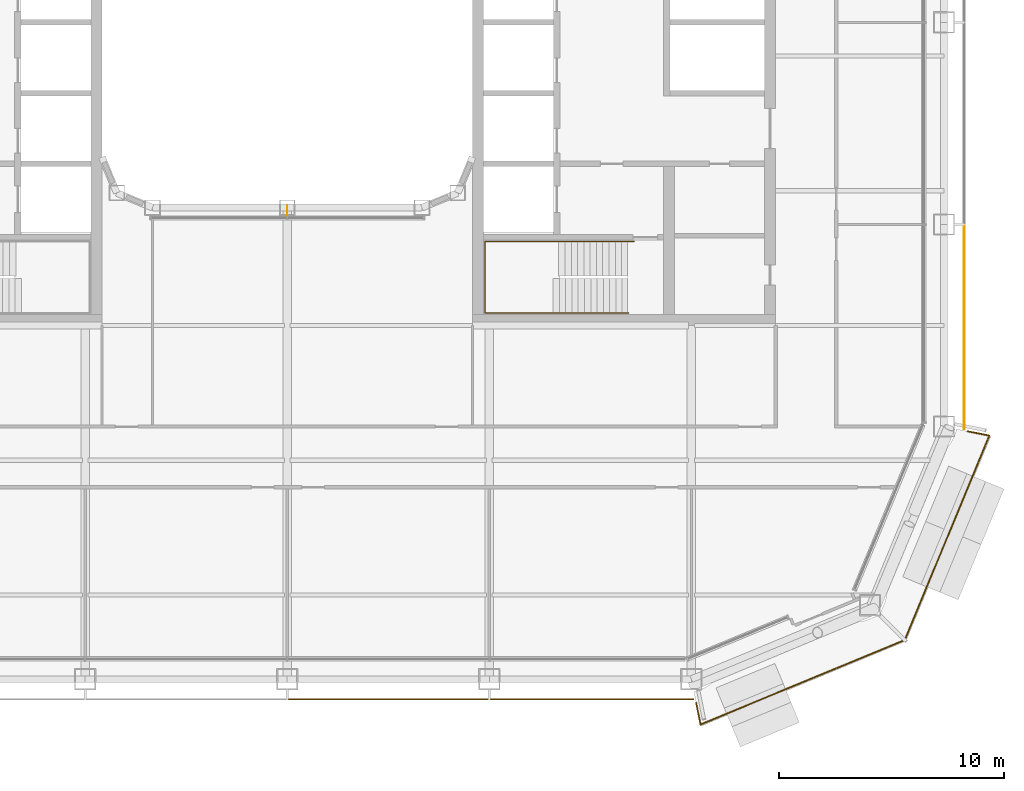
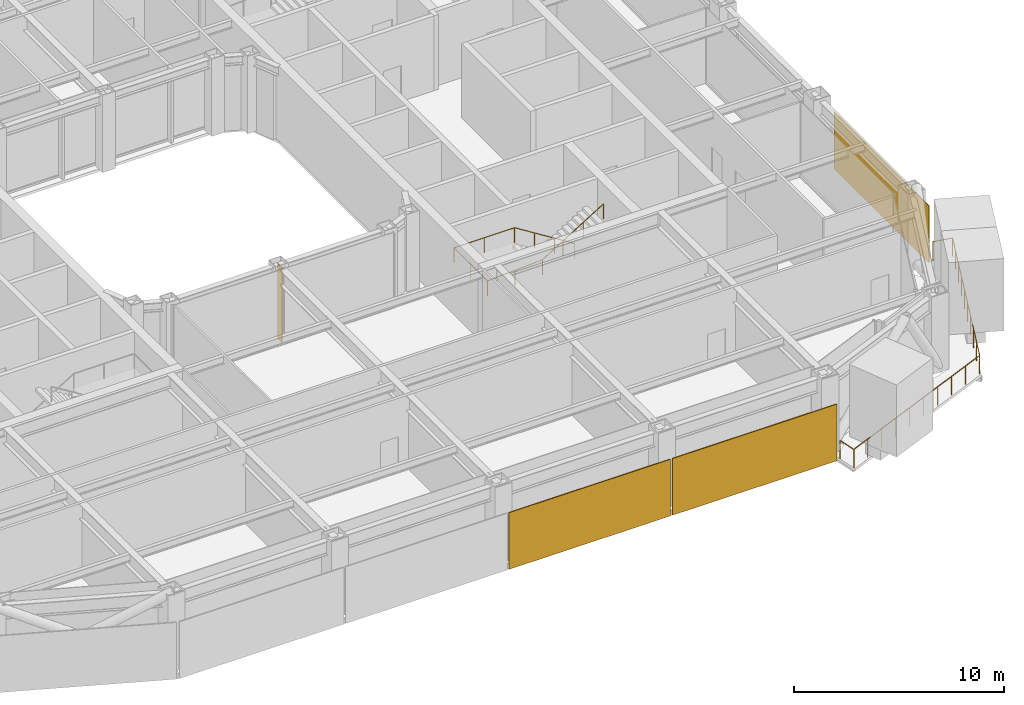
# One storey, part 19 of 23: 3 coverings, 2 railings, 1 shading device.
"""IFC4 building model written with IfcOpenShell, lengths in metres."""

from ifc_helpers import new_model, si_unit, direction, frame, origin, origin_2d, place, context, subcontext, project, spatial, rectangle, circle, extrude, material, layer, layer_set, type_object, element, save


model = new_model("IFC4")

# Units and contexts
model_context = context("Model", 3, precision=1e-05, world=origin(), true_north=direction((0.0, 1.0)))
body_context = subcontext(model_context, "Body", "Model", "MODEL_VIEW")
ifc_project = project(units=[si_unit("LENGTHUNIT", "METRE"), si_unit("AREAUNIT", "SQUARE_METRE"), si_unit("VOLUMEUNIT", "CUBIC_METRE"), si_unit("PLANEANGLEUNIT", "RADIAN"), si_unit("MASSUNIT", "GRAM", prefix="KILO")], contexts=[model_context])

# Site, building, storey
site_placement = place(None, origin())
site = spatial("IfcSite", under=ifc_project, at=site_placement, CompositionType="ELEMENT")
building_placement = place(site_placement, origin())
building = spatial("IfcBuilding", under=site, at=building_placement, Name="Siwar Civic Tower", CompositionType="ELEMENT")
storey_placement = place(building_placement, frame((0.0, 0.0, 127.199951171875)))
storey = spatial("IfcBuildingStorey", under=building, at=storey_placement, Name="L27", CompositionType="ELEMENT", Elevation=127.199951171875)

# Railing
ifc_material_1 = material(Name="Stainless steel", Category="steel")
railing_type_1 = type_object("IfcRailingType", Name="CORE-STAIR-HANDRAIL", PredefinedType="HANDRAIL", material=ifc_material_1)
railing_1_placement = place(storey_placement, frame((15.449951171875, -9.758056640625, 0.173095703125)))
element("IfcRailing", 1, at=railing_1_placement, inside=storey, type_object=railing_type_1, Name="Stair handrail ST4", PredefinedType="HANDRAIL", context=body_context, shape_type="SweptSolid", body=[
    extrude(circle(Radius=0.02001953125, at=origin_2d()), frame((0.0, 0.0, 0.8798828125), z_axis=(-0.847063342986, 0.0, 0.531491950051), x_axis=(0.0, -1.0, 0.0)), (0.0, 0.0, 1.0), 3.90771484375),
    extrude(circle(Radius=0.02001953125, at=origin_2d()), frame((-3.31005859375, 0.0, 2.956787109375), z_axis=(-1.0, 0.0, 0.0), x_axis=(0.0, -1.0, 0.0)), (0.0, 0.0, 1.0), 3.331787109375),
    extrude(circle(Radius=0.02001953125, at=origin_2d()), frame((-6.641845703125, 0.0, 2.956787109375), z_axis=(0.0, -1.0, 0.0), x_axis=(1.0, 0.0, 0.0)), (0.0, 0.0, 1.0), 3.183837890625),
    extrude(circle(Radius=0.02001953125, at=origin_2d()), frame((-6.641845703125, -3.183837890625, 2.956787109375), z_axis=(0.99837434197, 0.0, 0.056997134106), x_axis=(0.0, 1.0, 0.0)), (0.0, 0.0, 1.0), 3.036865234375),
    extrude(circle(Radius=0.02001953125, at=origin_2d()), frame((-3.60986328125, -3.183837890625, 3.1298828125), z_axis=(0.850606129759, 0.0, 0.525803396734), x_axis=(0.0, 1.0, 0.0)), (0.0, 0.0, 1.0), 3.949951171875),
    extrude(circle(Radius=0.02001953125, at=origin_2d()), origin(), (0.0, 0.0, 1.0), 0.85986328125),
    extrude(circle(Radius=0.02001953125, at=origin_2d()), frame((-1.103271484375, 0.0, 0.6923828125)), (0.0, 0.0, 1.0), 0.85986328125),
    extrude(circle(Radius=0.02001953125, at=origin_2d()), frame((-2.206787109375, 0.0, 1.384521484375)), (0.0, 0.0, 1.0), 0.85986328125),
    extrude(circle(Radius=0.02001953125, at=origin_2d()), frame((-3.31005859375, 0.0, 2.076904296875)), (0.0, 0.0, 1.0), 0.85986328125),
    extrude(circle(Radius=0.02001953125, at=origin_2d()), frame((-4.97607421875, 0.0, 2.076904296875)), (0.0, 0.0, 1.0), 0.85986328125),
    extrude(circle(Radius=0.02001953125, at=origin_2d()), frame((-6.641845703125, 0.0, 2.076904296875)), (0.0, 0.0, 1.0), 0.85986328125),
    extrude(circle(Radius=0.02001953125, at=origin_2d()), frame((-6.641845703125, -1.591796875, 2.076904296875)), (0.0, 0.0, 1.0), 0.85986328125),
    extrude(circle(Radius=0.02001953125, at=origin_2d()), frame((-6.641845703125, -3.183837890625, 2.076904296875)), (0.0, 0.0, 1.0), 0.85986328125),
    extrude(circle(Radius=0.02001953125, at=origin_2d()), frame((-5.1259765625, -3.183837890625, 2.16357421875)), (0.0, 0.0, 1.0), 0.85986328125),
    extrude(circle(Radius=0.02001953125, at=origin_2d()), frame((-3.60986328125, -3.183837890625, 2.25)), (0.0, 0.0, 1.0), 0.85986328125),
    extrude(circle(Radius=0.02001953125, at=origin_2d()), frame((-2.489990234375, -3.183837890625, 2.9423828125)), (0.0, 0.0, 1.0), 0.85986328125),
    extrude(circle(Radius=0.02001953125, at=origin_2d()), frame((-1.369873046875, -3.183837890625, 3.634521484375)), (0.0, 0.0, 1.0), 0.85986328125),
    extrude(circle(Radius=0.02001953125, at=origin_2d()), frame((-0.25, -3.183837890625, 4.326904296875)), (0.0, 0.0, 1.0), 0.85986328125),
])

# Shading device
ifc_material_2 = material(Name="Aluminium 6063-T6", Category="aluminium")
ifc_layer_1 = layer(ifc_material_2, 0.02001953125)
ifc_layer_set_1 = layer_set([ifc_layer_1], Name="Aluminium 6063-T6")
shading_device_type = type_object("IfcShadingDeviceType", Name="ENV-FIN", PredefinedType="JALOUSIE", material=ifc_layer_set_1)
shading_device_placement = place(storey_placement, frame((0.0, -8.39501953125, 0.0), z_axis=(0.0, 0.0, 1.0), x_axis=(1.0, 0.0, 0.0)))
element("IfcShadingDevice", 2, at=shading_device_placement, inside=storey, type_object=shading_device_type, Name="SUNSHADE fin WS 1", PredefinedType="JALOUSIE", context=body_context, shape_type="SweptSolid", body=[
    extrude(rectangle(XDim=0.02001953125, YDim=0.449951171875, at=origin_2d()), origin(), (0.0, 0.0, 1.0), 4.35009765625),
])

# Railing
ifc_material_3 = material(Name="Stainless steel 316", Category="steel")
railing_type_2 = type_object("IfcRailingType", Name="ENV-GUARD", PredefinedType="GUARDRAIL", material=ifc_material_3)
railing_2_placement = place(storey_placement, frame((18.208251953125, -30.297119140625, 0.0)))
element("IfcRailing", 3, at=railing_2_placement, inside=storey, type_object=railing_type_2, Name="Balcony guard SE", PredefinedType="GUARDRAIL", context=body_context, shape_type="SweptSolid", body=[
    extrude(circle(Radius=0.02392578125, at=origin_2d()), frame((0.0, 0.0, 1.076171875), z_axis=(0.195123592472, -0.980778661911, 0.0), x_axis=(0.980778661911, 0.195123592472, 0.0)), (0.0, 0.0, 1.0), 0.993408203125),
    extrude(circle(Radius=0.02392578125, at=origin_2d()), frame((0.19384765625, -0.974365234375, 1.076171875), z_axis=(0.924056377406, 0.38225621169, 0.0), x_axis=(-0.38225621169, 0.924056377406, 0.0)), (0.0, 0.0, 1.0), 9.851806640625),
    extrude(circle(Radius=0.02392578125, at=origin_2d()), frame((9.29736328125, 2.79150390625, 1.076171875), z_axis=(0.38225621169, 0.924056377406, 0.0), x_axis=(-0.924056377406, 0.38225621169, 0.0)), (0.0, 0.0, 1.0), 9.851806640625),
    extrude(circle(Radius=0.02392578125, at=origin_2d()), frame((13.063232421875, 11.89501953125, 1.076171875), z_axis=(-0.980778661911, 0.195123592472, 0.0), x_axis=(-0.195123592472, -0.980778661911, 0.0)), (0.0, 0.0, 1.0), 0.993408203125),
    extrude(circle(Radius=0.02099609375, at=origin_2d()), origin(), (0.0, 0.0, 1.0), 1.052001953125),
    extrude(circle(Radius=0.02099609375, at=origin_2d()), frame((0.19384765625, -0.974365234375, 0.0)), (0.0, 0.0, 1.0), 1.052001953125),
    extrude(circle(Radius=0.02099609375, at=origin_2d()), frame((1.205322265625, -0.555908203125, 0.0)), (0.0, 0.0, 1.0), 1.052001953125),
    extrude(circle(Radius=0.02099609375, at=origin_2d()), frame((2.216796875, -0.137451171875, 0.0)), (0.0, 0.0, 1.0), 1.052001953125),
    extrude(circle(Radius=0.02099609375, at=origin_2d()), frame((3.228271484375, 0.281005859375, 0.0)), (0.0, 0.0, 1.0), 1.052001953125),
    extrude(circle(Radius=0.02099609375, at=origin_2d()), frame((4.23974609375, 0.699462890625, 0.0)), (0.0, 0.0, 1.0), 1.052001953125),
    extrude(circle(Radius=0.02099609375, at=origin_2d()), frame((5.25146484375, 1.11767578125, 0.0)), (0.0, 0.0, 1.0), 1.052001953125),
    extrude(circle(Radius=0.02099609375, at=origin_2d()), frame((6.262939453125, 1.5361328125, 0.0)), (0.0, 0.0, 1.0), 1.052001953125),
    extrude(circle(Radius=0.02099609375, at=origin_2d()), frame((7.2744140625, 1.95458984375, 0.0)), (0.0, 0.0, 1.0), 1.052001953125),
    extrude(circle(Radius=0.02099609375, at=origin_2d()), frame((8.285888671875, 2.373046875, 0.0)), (0.0, 0.0, 1.0), 1.052001953125),
    extrude(circle(Radius=0.02099609375, at=origin_2d()), frame((9.29736328125, 2.79150390625, 0.0)), (0.0, 0.0, 1.0), 1.052001953125),
    extrude(circle(Radius=0.02099609375, at=origin_2d()), frame((9.7158203125, 3.802978515625, 0.0)), (0.0, 0.0, 1.0), 1.052001953125),
    extrude(circle(Radius=0.02099609375, at=origin_2d()), frame((10.13427734375, 4.814453125, 0.0)), (0.0, 0.0, 1.0), 1.052001953125),
    extrude(circle(Radius=0.02099609375, at=origin_2d()), frame((10.552734375, 5.825927734375, 0.0)), (0.0, 0.0, 1.0), 1.052001953125),
    extrude(circle(Radius=0.02099609375, at=origin_2d()), frame((10.97119140625, 6.83740234375, 0.0)), (0.0, 0.0, 1.0), 1.052001953125),
    extrude(circle(Radius=0.02099609375, at=origin_2d()), frame((11.389404296875, 7.84912109375, 0.0)), (0.0, 0.0, 1.0), 1.052001953125),
    extrude(circle(Radius=0.02099609375, at=origin_2d()), frame((11.807861328125, 8.860595703125, 0.0)), (0.0, 0.0, 1.0), 1.052001953125),
    extrude(circle(Radius=0.02099609375, at=origin_2d()), frame((12.226318359375, 9.8720703125, 0.0)), (0.0, 0.0, 1.0), 1.052001953125),
    extrude(circle(Radius=0.02099609375, at=origin_2d()), frame((12.644775390625, 10.883544921875, 0.0)), (0.0, 0.0, 1.0), 1.052001953125),
    extrude(circle(Radius=0.02099609375, at=origin_2d()), frame((13.063232421875, 11.89501953125, 0.0)), (0.0, 0.0, 1.0), 1.052001953125),
    extrude(circle(Radius=0.02099609375, at=origin_2d()), frame((12.0888671875, 12.0888671875, 0.0)), (0.0, 0.0, 1.0), 1.052001953125),
])

# Coverings
ifc_material_4 = material(Name="Perforated aluminium cassette, pale metal", Category="aluminium")
ifc_layer_2 = layer(ifc_material_4, 0.0400390625)
ifc_layer_set_2 = layer_set([ifc_layer_2], Name="Perforated aluminium cassette, pale metal")
covering_type_1 = type_object("IfcCoveringType", Name="ENV-OUTER SKIN OS-1", PredefinedType="CLADDING", material=ifc_layer_set_2)
covering_1_placement = place(storey_placement, frame((30.14990234375, -13.57958984375, -0.14990234375), z_axis=(0.0, 0.0, 1.0), x_axis=(0.0, 1.0, 0.0)))
element("IfcCovering", 4, at=covering_1_placement, inside=storey, type_object=covering_type_1, Name="OUTER SKIN OS-1 E 1", PredefinedType="CLADDING", context=body_context, shape_type="SweptSolid", body=[
    extrude(rectangle(XDim=9.05908203125, YDim=0.0400390625, at=origin_2d()), origin(), (0.0, 0.0, 1.0), 3.300048828125),
])
ifc_material_5 = material(Name="Perforated aluminium cassette, pale metal", Category="aluminium")
ifc_layer_3 = layer(ifc_material_5, 0.054931640625)
ifc_layer_set_3 = layer_set([ifc_layer_3], Name="Perforated aluminium cassette, pale metal")
covering_type_2 = type_object("IfcCoveringType", Name="ENV-OUTER SKIN OS-4", PredefinedType="CLADDING", material=ifc_layer_set_3)
covering_2_placement = place(storey_placement, frame((4.5, -30.14990234375, -0.14990234375), z_axis=(0.0, 0.0, 1.0), x_axis=(1.0, 0.0, 0.0)))
element("IfcCovering", 5, at=covering_2_placement, inside=storey, type_object=covering_type_2, Name="OUTER SKIN OS-4 S 3", PredefinedType="CLADDING", context=body_context, shape_type="SweptSolid", body=[
    extrude(rectangle(XDim=8.89990234375, YDim=0.054931640625, at=origin_2d()), origin(), (0.0, 0.0, 1.0), 3.300048828125),
])
covering_3_placement = place(storey_placement, frame((13.57958984375, -30.14990234375, -0.14990234375), z_axis=(0.0, 0.0, 1.0), x_axis=(1.0, 0.0, 0.0)))
element("IfcCovering", 6, at=covering_3_placement, inside=storey, type_object=covering_type_2, Name="OUTER SKIN OS-4 S 4", PredefinedType="CLADDING", context=body_context, shape_type="SweptSolid", body=[
    extrude(rectangle(XDim=9.05908203125, YDim=0.054931640625, at=origin_2d()), origin(), (0.0, 0.0, 1.0), 3.300048828125),
])

save(model, "model.ifc")
